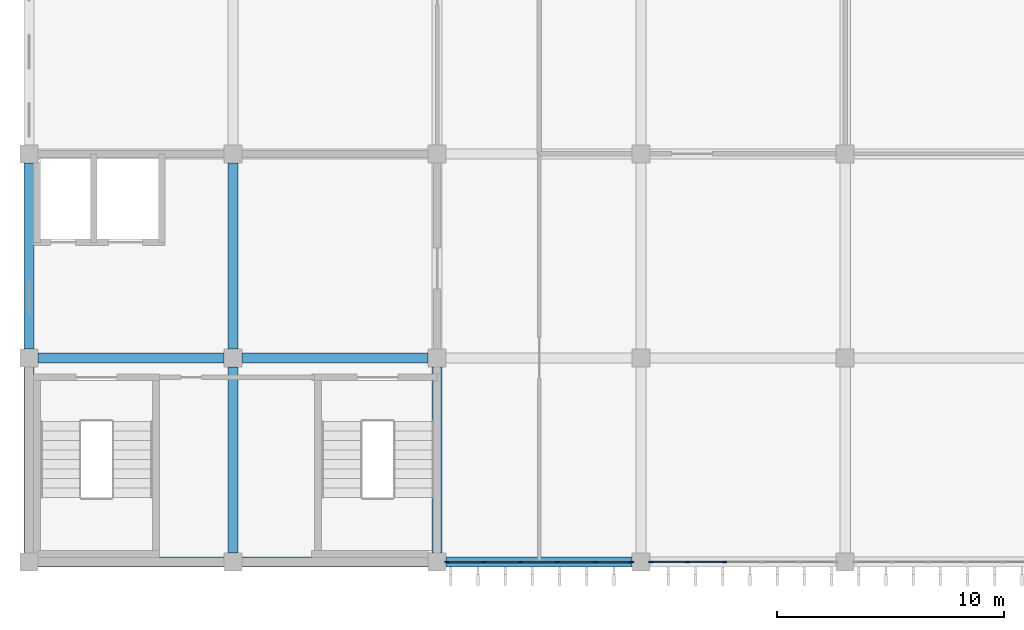
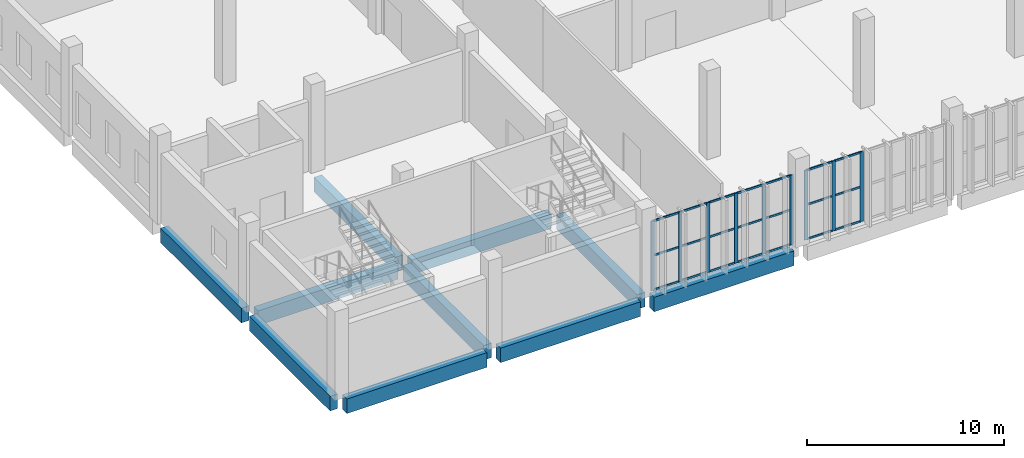
# One storey, part 16 of 185: 30 members, 10 beams, 2 elements without a shape of their own.
"""IFC4 building model written with IfcOpenShell, lengths in metres."""

from ifc_helpers import new_model, si_unit, direction, frame, origin, origin_2d, place, context, subcontext, project, spatial, rectangle, extrude, material, layer, layer_set, material_profile, profile_set, type_object, element, aggregate, save


model = new_model("IFC4")

# Units and contexts
model_context = context("Model", 3, precision=1e-05, world=origin(), true_north=direction((0.0, 1.0)))
body_context = subcontext(model_context, "Body", "Model", "MODEL_VIEW")
ifc_project = project(units=[si_unit("LENGTHUNIT", "METRE"), si_unit("AREAUNIT", "SQUARE_METRE"), si_unit("VOLUMEUNIT", "CUBIC_METRE"), si_unit("PLANEANGLEUNIT", "RADIAN"), si_unit("MASSUNIT", "GRAM", prefix="KILO")], contexts=[model_context])

# Site, building, storey
site_placement = place(None, origin())
site = spatial("IfcSite", under=ifc_project, at=site_placement, CompositionType="ELEMENT")
building_placement = place(site_placement, origin())
building = spatial("IfcBuilding", under=site, at=building_placement, Name="Opaline Strait Convention Centre", CompositionType="ELEMENT")
storey_placement = place(building_placement, frame((0.0, 0.0, 6.0)))
storey = spatial("IfcBuildingStorey", under=building, at=storey_placement, Name="L01", CompositionType="ELEMENT", Elevation=6.0)

# Curtain wall, members
ifc_material_1 = material(Name="Aluminium framed double glazing", Category="aluminium")
ifc_layer = layer(ifc_material_1, 0.199951171875)
ifc_layer_set = layer_set([ifc_layer], Name="Aluminium framed double glazing")
curtain_wall_type = type_object("IfcCurtainWallType", Name="Curtain wall 1500 module", PredefinedType="NOTDEFINED", material=ifc_layer_set)
curtain_wall_1_placement = place(storey_placement, origin())
curtain_wall_1 = element("IfcCurtainWall", 1, at=curtain_wall_1_placement, inside=storey, type_object=curtain_wall_type, Name="L01 S facade glazing bay 3", PredefinedType="NOTDEFINED")
ifc_material_2 = material(Name="Aluminium alloy 6063", Category="aluminium")
ifc_material_profile_1 = material_profile(ifc_material_2, rectangle(XDim=0.06005859375, YDim=0.199951171875, at=origin_2d()), Name="Curtain wall mullion 60x200")
ifc_profile_set_1 = profile_set([ifc_material_profile_1], Name="Aluminium alloy 6063")
member_type_1 = type_object("IfcMemberType", Name="Curtain wall mullion 60x200", PredefinedType="MULLION", material=ifc_profile_set_1)
member_1_placement = place(storey_placement, frame((27.429931640625, 9.0, 0.0), z_axis=(0.0, 0.0, 1.0), x_axis=(0.0, 1.0, 0.0)))
member_1 = element("IfcMember", 2, at=member_1_placement, type_object=member_type_1, Name="RCW1 mullion 1", PredefinedType="MULLION", context=body_context, shape_type="SweptSolid", body=[
    extrude(rectangle(XDim=0.06005859375, YDim=0.199951171875, at=origin_2d()), origin(), (0.0, 0.0, 1.0), 4.320068359375),
])
member_2_placement = place(storey_placement, frame((29.0400390625, 9.0, 0.0), z_axis=(0.0, 0.0, 1.0), x_axis=(0.0, 1.0, 0.0)))
member_2 = element("IfcMember", 3, at=member_2_placement, type_object=member_type_1, Name="RCW1 mullion 2", PredefinedType="MULLION", context=body_context, shape_type="SweptSolid", body=[
    extrude(rectangle(XDim=0.06005859375, YDim=0.199951171875, at=origin_2d()), origin(), (0.0, 0.0, 1.0), 4.320068359375),
])
member_3_placement = place(storey_placement, frame((30.679931640625, 9.0, 0.0), z_axis=(0.0, 0.0, 1.0), x_axis=(0.0, 1.0, 0.0)))
member_3 = element("IfcMember", 4, at=member_3_placement, type_object=member_type_1, Name="RCW1 mullion 3", PredefinedType="MULLION", context=body_context, shape_type="SweptSolid", body=[
    extrude(rectangle(XDim=0.06005859375, YDim=0.199951171875, at=origin_2d()), origin(), (0.0, 0.0, 1.0), 4.320068359375),
])
member_4_placement = place(storey_placement, frame((32.320068359375, 9.0, 0.0), z_axis=(0.0, 0.0, 1.0), x_axis=(0.0, 1.0, 0.0)))
member_4 = element("IfcMember", 5, at=member_4_placement, type_object=member_type_1, Name="RCW1 mullion 4", PredefinedType="MULLION", context=body_context, shape_type="SweptSolid", body=[
    extrude(rectangle(XDim=0.06005859375, YDim=0.199951171875, at=origin_2d()), origin(), (0.0, 0.0, 1.0), 4.320068359375),
])
member_5_placement = place(storey_placement, frame((33.9599609375, 9.0, 0.0), z_axis=(0.0, 0.0, 1.0), x_axis=(0.0, 1.0, 0.0)))
member_5 = element("IfcMember", 6, at=member_5_placement, type_object=member_type_1, Name="RCW1 mullion 5", PredefinedType="MULLION", context=body_context, shape_type="SweptSolid", body=[
    extrude(rectangle(XDim=0.06005859375, YDim=0.199951171875, at=origin_2d()), origin(), (0.0, 0.0, 1.0), 4.320068359375),
])
member_6_placement = place(storey_placement, frame((35.570068359375, 9.0, 0.0), z_axis=(0.0, 0.0, 1.0), x_axis=(0.0, 1.0, 0.0)))
member_6 = element("IfcMember", 7, at=member_6_placement, type_object=member_type_1, Name="RCW1 mullion 6", PredefinedType="MULLION", context=body_context, shape_type="SweptSolid", body=[
    extrude(rectangle(XDim=0.06005859375, YDim=0.199951171875, at=origin_2d()), origin(), (0.0, 0.0, 1.0), 4.320068359375),
])

curtain_wall_2_placement = place(storey_placement, origin())
curtain_wall_2 = element("IfcCurtainWall", 8, at=curtain_wall_2_placement, inside=storey, type_object=curtain_wall_type, Name="L01 S facade glazing bay 4", PredefinedType="NOTDEFINED")
member_7_placement = place(storey_placement, frame((36.429931640625, 9.0, 0.0), z_axis=(0.0, 0.0, 1.0), x_axis=(0.0, 1.0, 0.0)))
member_7 = element("IfcMember", 9, at=member_7_placement, type_object=member_type_1, Name="RCW1 mullion 1", PredefinedType="MULLION", context=body_context, shape_type="SweptSolid", body=[
    extrude(rectangle(XDim=0.06005859375, YDim=0.199951171875, at=origin_2d()), origin(), (0.0, 0.0, 1.0), 4.320068359375),
])
member_8_placement = place(storey_placement, frame((38.0400390625, 9.0, 0.0), z_axis=(0.0, 0.0, 1.0), x_axis=(0.0, 1.0, 0.0)))
member_8 = element("IfcMember", 10, at=member_8_placement, type_object=member_type_1, Name="RCW1 mullion 2", PredefinedType="MULLION", context=body_context, shape_type="SweptSolid", body=[
    extrude(rectangle(XDim=0.06005859375, YDim=0.199951171875, at=origin_2d()), origin(), (0.0, 0.0, 1.0), 4.320068359375),
])
member_9_placement = place(storey_placement, frame((39.679931640625, 9.0, 0.0), z_axis=(0.0, 0.0, 1.0), x_axis=(0.0, 1.0, 0.0)))
member_9 = element("IfcMember", 11, at=member_9_placement, type_object=member_type_1, Name="RCW1 mullion 3", PredefinedType="MULLION", context=body_context, shape_type="SweptSolid", body=[
    extrude(rectangle(XDim=0.06005859375, YDim=0.199951171875, at=origin_2d()), origin(), (0.0, 0.0, 1.0), 4.320068359375),
])

# Member
ifc_material_profile_2 = material_profile(ifc_material_2, rectangle(XDim=0.06005859375, YDim=0.1201171875, at=origin_2d()), Name="Curtain wall transom 60x120")
ifc_profile_set_2 = profile_set([ifc_material_profile_2], Name="Aluminium alloy 6063")
member_type_2 = type_object("IfcMemberType", Name="Curtain wall transom 60x120", PredefinedType="USERDEFINED", material=ifc_profile_set_2)
member_10_placement = place(storey_placement, frame((27.4599609375, 9.0, 0.030029296875), z_axis=(1.0, 0.0, 0.0), x_axis=(0.0, 1.0, 0.0)))
member_10 = element("IfcMember", 12, at=member_10_placement, type_object=member_type_2, Name="RCW1 transom 1.1", ObjectType="TRANSOM", PredefinedType="USERDEFINED", context=body_context, shape_type="SweptSolid", body=[
    extrude(rectangle(XDim=0.06005859375, YDim=0.1201171875, at=origin_2d()), origin(), (0.0, 0.0, 1.0), 1.550048828125),
])

member_11_placement = place(storey_placement, frame((27.4599609375, 9.0, 2.159912109375), z_axis=(1.0, 0.0, 0.0), x_axis=(0.0, 1.0, 0.0)))
member_11 = element("IfcMember", 13, at=member_11_placement, type_object=member_type_2, Name="RCW1 transom 1.2", ObjectType="TRANSOM", PredefinedType="USERDEFINED", context=body_context, shape_type="SweptSolid", body=[
    extrude(rectangle(XDim=0.06005859375, YDim=0.1201171875, at=origin_2d()), origin(), (0.0, 0.0, 1.0), 1.550048828125),
])

member_12_placement = place(storey_placement, frame((27.4599609375, 9.0, 4.2900390625), z_axis=(1.0, 0.0, 0.0), x_axis=(0.0, 1.0, 0.0)))
member_12 = element("IfcMember", 14, at=member_12_placement, type_object=member_type_2, Name="RCW1 transom 1.3", ObjectType="TRANSOM", PredefinedType="USERDEFINED", context=body_context, shape_type="SweptSolid", body=[
    extrude(rectangle(XDim=0.06005859375, YDim=0.1201171875, at=origin_2d()), origin(), (0.0, 0.0, 1.0), 1.550048828125),
])

member_13_placement = place(storey_placement, frame((29.06982421875, 9.0, 0.030029296875), z_axis=(1.0, 0.0, 0.0), x_axis=(0.0, 1.0, 0.0)))
member_13 = element("IfcMember", 15, at=member_13_placement, type_object=member_type_2, Name="RCW1 transom 2.1", ObjectType="TRANSOM", PredefinedType="USERDEFINED", context=body_context, shape_type="SweptSolid", body=[
    extrude(rectangle(XDim=0.06005859375, YDim=0.1201171875, at=origin_2d()), origin(), (0.0, 0.0, 1.0), 1.580078125),
])

member_14_placement = place(storey_placement, frame((29.06982421875, 9.0, 2.159912109375), z_axis=(1.0, 0.0, 0.0), x_axis=(0.0, 1.0, 0.0)))
member_14 = element("IfcMember", 16, at=member_14_placement, type_object=member_type_2, Name="RCW1 transom 2.2", ObjectType="TRANSOM", PredefinedType="USERDEFINED", context=body_context, shape_type="SweptSolid", body=[
    extrude(rectangle(XDim=0.06005859375, YDim=0.1201171875, at=origin_2d()), origin(), (0.0, 0.0, 1.0), 1.580078125),
])

member_15_placement = place(storey_placement, frame((29.06982421875, 9.0, 4.2900390625), z_axis=(1.0, 0.0, 0.0), x_axis=(0.0, 1.0, 0.0)))
member_15 = element("IfcMember", 17, at=member_15_placement, type_object=member_type_2, Name="RCW1 transom 2.3", ObjectType="TRANSOM", PredefinedType="USERDEFINED", context=body_context, shape_type="SweptSolid", body=[
    extrude(rectangle(XDim=0.06005859375, YDim=0.1201171875, at=origin_2d()), origin(), (0.0, 0.0, 1.0), 1.580078125),
])

member_16_placement = place(storey_placement, frame((30.7099609375, 9.0, 0.030029296875), z_axis=(1.0, 0.0, 0.0), x_axis=(0.0, 1.0, 0.0)))
member_16 = element("IfcMember", 18, at=member_16_placement, type_object=member_type_2, Name="RCW1 transom 3.1", ObjectType="TRANSOM", PredefinedType="USERDEFINED", context=body_context, shape_type="SweptSolid", body=[
    extrude(rectangle(XDim=0.06005859375, YDim=0.1201171875, at=origin_2d()), origin(), (0.0, 0.0, 1.0), 1.580078125),
])

member_17_placement = place(storey_placement, frame((30.7099609375, 9.0, 2.159912109375), z_axis=(1.0, 0.0, 0.0), x_axis=(0.0, 1.0, 0.0)))
member_17 = element("IfcMember", 19, at=member_17_placement, type_object=member_type_2, Name="RCW1 transom 3.2", ObjectType="TRANSOM", PredefinedType="USERDEFINED", context=body_context, shape_type="SweptSolid", body=[
    extrude(rectangle(XDim=0.06005859375, YDim=0.1201171875, at=origin_2d()), origin(), (0.0, 0.0, 1.0), 1.580078125),
])

member_18_placement = place(storey_placement, frame((30.7099609375, 9.0, 4.2900390625), z_axis=(1.0, 0.0, 0.0), x_axis=(0.0, 1.0, 0.0)))
member_18 = element("IfcMember", 20, at=member_18_placement, type_object=member_type_2, Name="RCW1 transom 3.3", ObjectType="TRANSOM", PredefinedType="USERDEFINED", context=body_context, shape_type="SweptSolid", body=[
    extrude(rectangle(XDim=0.06005859375, YDim=0.1201171875, at=origin_2d()), origin(), (0.0, 0.0, 1.0), 1.580078125),
])

member_19_placement = place(storey_placement, frame((32.35009765625, 9.0, 0.030029296875), z_axis=(1.0, 0.0, 0.0), x_axis=(0.0, 1.0, 0.0)))
member_19 = element("IfcMember", 21, at=member_19_placement, type_object=member_type_2, Name="RCW1 transom 4.1", ObjectType="TRANSOM", PredefinedType="USERDEFINED", context=body_context, shape_type="SweptSolid", body=[
    extrude(rectangle(XDim=0.06005859375, YDim=0.1201171875, at=origin_2d()), origin(), (0.0, 0.0, 1.0), 1.580078125),
])

member_20_placement = place(storey_placement, frame((32.35009765625, 9.0, 2.159912109375), z_axis=(1.0, 0.0, 0.0), x_axis=(0.0, 1.0, 0.0)))
member_20 = element("IfcMember", 22, at=member_20_placement, type_object=member_type_2, Name="RCW1 transom 4.2", ObjectType="TRANSOM", PredefinedType="USERDEFINED", context=body_context, shape_type="SweptSolid", body=[
    extrude(rectangle(XDim=0.06005859375, YDim=0.1201171875, at=origin_2d()), origin(), (0.0, 0.0, 1.0), 1.580078125),
])

member_21_placement = place(storey_placement, frame((32.35009765625, 9.0, 4.2900390625), z_axis=(1.0, 0.0, 0.0), x_axis=(0.0, 1.0, 0.0)))
member_21 = element("IfcMember", 23, at=member_21_placement, type_object=member_type_2, Name="RCW1 transom 4.3", ObjectType="TRANSOM", PredefinedType="USERDEFINED", context=body_context, shape_type="SweptSolid", body=[
    extrude(rectangle(XDim=0.06005859375, YDim=0.1201171875, at=origin_2d()), origin(), (0.0, 0.0, 1.0), 1.580078125),
])

member_22_placement = place(storey_placement, frame((33.989990234375, 9.0, 0.030029296875), z_axis=(1.0, 0.0, 0.0), x_axis=(0.0, 1.0, 0.0)))
member_22 = element("IfcMember", 24, at=member_22_placement, type_object=member_type_2, Name="RCW1 transom 5.1", ObjectType="TRANSOM", PredefinedType="USERDEFINED", context=body_context, shape_type="SweptSolid", body=[
    extrude(rectangle(XDim=0.06005859375, YDim=0.1201171875, at=origin_2d()), origin(), (0.0, 0.0, 1.0), 1.550048828125),
])

member_23_placement = place(storey_placement, frame((33.989990234375, 9.0, 2.159912109375), z_axis=(1.0, 0.0, 0.0), x_axis=(0.0, 1.0, 0.0)))
member_23 = element("IfcMember", 25, at=member_23_placement, type_object=member_type_2, Name="RCW1 transom 5.2", ObjectType="TRANSOM", PredefinedType="USERDEFINED", context=body_context, shape_type="SweptSolid", body=[
    extrude(rectangle(XDim=0.06005859375, YDim=0.1201171875, at=origin_2d()), origin(), (0.0, 0.0, 1.0), 1.550048828125),
])

member_24_placement = place(storey_placement, frame((33.989990234375, 9.0, 4.2900390625), z_axis=(1.0, 0.0, 0.0), x_axis=(0.0, 1.0, 0.0)))
member_24 = element("IfcMember", 26, at=member_24_placement, type_object=member_type_2, Name="RCW1 transom 5.3", ObjectType="TRANSOM", PredefinedType="USERDEFINED", context=body_context, shape_type="SweptSolid", body=[
    extrude(rectangle(XDim=0.06005859375, YDim=0.1201171875, at=origin_2d()), origin(), (0.0, 0.0, 1.0), 1.550048828125),
])

aggregate(curtain_wall_1, [member_1, member_2, member_3, member_4, member_5, member_6, member_10, member_11, member_12, member_13, member_14, member_15, member_16, member_17, member_18, member_19, member_20, member_21, member_22, member_23, member_24])

member_25_placement = place(storey_placement, frame((36.4599609375, 9.0, 0.030029296875), z_axis=(1.0, 0.0, 0.0), x_axis=(0.0, 1.0, 0.0)))
member_25 = element("IfcMember", 27, at=member_25_placement, type_object=member_type_2, Name="RCW1 transom 1.1", ObjectType="TRANSOM", PredefinedType="USERDEFINED", context=body_context, shape_type="SweptSolid", body=[
    extrude(rectangle(XDim=0.06005859375, YDim=0.1201171875, at=origin_2d()), origin(), (0.0, 0.0, 1.0), 1.550048828125),
])

member_26_placement = place(storey_placement, frame((36.4599609375, 9.0, 2.159912109375), z_axis=(1.0, 0.0, 0.0), x_axis=(0.0, 1.0, 0.0)))
member_26 = element("IfcMember", 28, at=member_26_placement, type_object=member_type_2, Name="RCW1 transom 1.2", ObjectType="TRANSOM", PredefinedType="USERDEFINED", context=body_context, shape_type="SweptSolid", body=[
    extrude(rectangle(XDim=0.06005859375, YDim=0.1201171875, at=origin_2d()), origin(), (0.0, 0.0, 1.0), 1.550048828125),
])

member_27_placement = place(storey_placement, frame((36.4599609375, 9.0, 4.2900390625), z_axis=(1.0, 0.0, 0.0), x_axis=(0.0, 1.0, 0.0)))
member_27 = element("IfcMember", 29, at=member_27_placement, type_object=member_type_2, Name="RCW1 transom 1.3", ObjectType="TRANSOM", PredefinedType="USERDEFINED", context=body_context, shape_type="SweptSolid", body=[
    extrude(rectangle(XDim=0.06005859375, YDim=0.1201171875, at=origin_2d()), origin(), (0.0, 0.0, 1.0), 1.550048828125),
])

member_28_placement = place(storey_placement, frame((38.06982421875, 9.0, 0.030029296875), z_axis=(1.0, 0.0, 0.0), x_axis=(0.0, 1.0, 0.0)))
member_28 = element("IfcMember", 30, at=member_28_placement, type_object=member_type_2, Name="RCW1 transom 2.1", ObjectType="TRANSOM", PredefinedType="USERDEFINED", context=body_context, shape_type="SweptSolid", body=[
    extrude(rectangle(XDim=0.06005859375, YDim=0.1201171875, at=origin_2d()), origin(), (0.0, 0.0, 1.0), 1.580078125),
])

member_29_placement = place(storey_placement, frame((38.06982421875, 9.0, 2.159912109375), z_axis=(1.0, 0.0, 0.0), x_axis=(0.0, 1.0, 0.0)))
member_29 = element("IfcMember", 31, at=member_29_placement, type_object=member_type_2, Name="RCW1 transom 2.2", ObjectType="TRANSOM", PredefinedType="USERDEFINED", context=body_context, shape_type="SweptSolid", body=[
    extrude(rectangle(XDim=0.06005859375, YDim=0.1201171875, at=origin_2d()), origin(), (0.0, 0.0, 1.0), 1.580078125),
])

member_30_placement = place(storey_placement, frame((38.06982421875, 9.0, 4.2900390625), z_axis=(1.0, 0.0, 0.0), x_axis=(0.0, 1.0, 0.0)))
member_30 = element("IfcMember", 32, at=member_30_placement, type_object=member_type_2, Name="RCW1 transom 2.3", ObjectType="TRANSOM", PredefinedType="USERDEFINED", context=body_context, shape_type="SweptSolid", body=[
    extrude(rectangle(XDim=0.06005859375, YDim=0.1201171875, at=origin_2d()), origin(), (0.0, 0.0, 1.0), 1.580078125),
])

aggregate(curtain_wall_2, [member_7, member_8, member_9, member_25, member_26, member_27, member_28, member_29, member_30])

# Beams
ifc_material_3 = material(Name="Concrete C35", Category="concrete")
ifc_material_profile_3 = material_profile(ifc_material_3, rectangle(XDim=0.449951171875, YDim=0.89990234375, at=origin_2d()), Name="RC 450x900")
ifc_profile_set_3 = profile_set([ifc_material_profile_3], Name="Concrete C35")
beam_type = type_object("IfcBeamType", Name="RC beam 450x900 C35", PredefinedType="BEAM", material=ifc_profile_set_3)
for number, where, z_axis, x_axis, name in (
    (33, (9.39990234375, 9.0, -0.72998046875), (1.0, 0.0, 0.0), (0.0, 1.0, 0.0), "XB1 L01 9/9-18/9"),
    (34, (18.39990234375, 9.0, -0.72998046875), (1.0, 0.0, 0.0), (0.0, 1.0, 0.0), "XB1 L01 18/9-27/9"),
    (35, (27.39990234375, 9.0, -0.72998046875), (1.0, 0.0, 0.0), (0.0, 1.0, 0.0), "XB1 L01 27/9-36/9"),
    (36, (9.39990234375, 18.0, -0.72998046875), (1.0, 0.0, 0.0), (0.0, 1.0, 0.0), "XB1 L01 9/18-18/18"),
    (37, (18.39990234375, 18.0, -0.72998046875), (1.0, 0.0, 0.0), (0.0, 1.0, 0.0), "XB1 L01 18/18-27/18"),
    (38, (9.0, 9.39990234375, -0.72998046875), (0.0, 1.0, 0.0), (-1.0, 0.0, 0.0), "XB1 L01 9/9-9/18"),
    (39, (9.0, 18.39990234375, -0.72998046875), (0.0, 1.0, 0.0), (-1.0, 0.0, 0.0), "XB1 L01 9/18-9/27"),
    (40, (18.0, 9.39990234375, -0.72998046875), (0.0, 1.0, 0.0), (-1.0, 0.0, 0.0), "XB1 L01 18/9-18/18"),
    (41, (18.0, 18.39990234375, -0.72998046875), (0.0, 1.0, 0.0), (-1.0, 0.0, 0.0), "XB1 L01 18/18-18/27"),
    (42, (27.0, 9.39990234375, -0.72998046875), (0.0, 1.0, 0.0), (-1.0, 0.0, 0.0), "XB1 L01 27/9-27/18"),
):
    element("IfcBeam", number, at=place(storey_placement, frame(where, z_axis=z_axis, x_axis=x_axis)), inside=storey, type_object=beam_type, Name=name, PredefinedType="BEAM", context=body_context, shape_type="SweptSolid", body=[
        extrude(rectangle(XDim=0.449951171875, YDim=0.89990234375, at=origin_2d()), origin(), (0.0, 0.0, 1.0), 8.2001953125),
    ])

save(model, "model.ifc")
